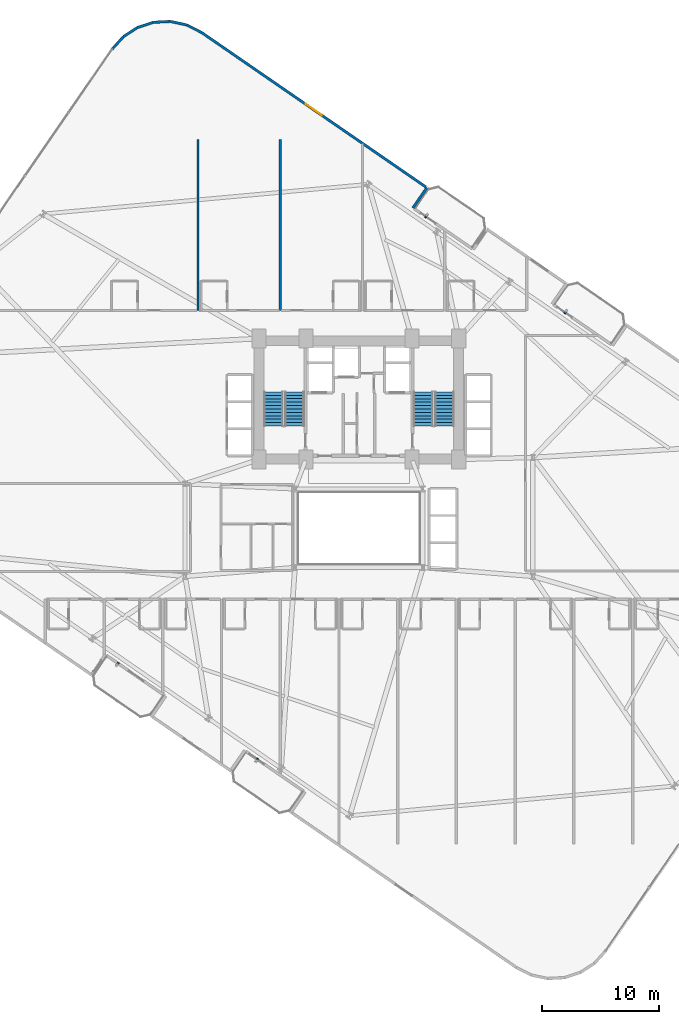
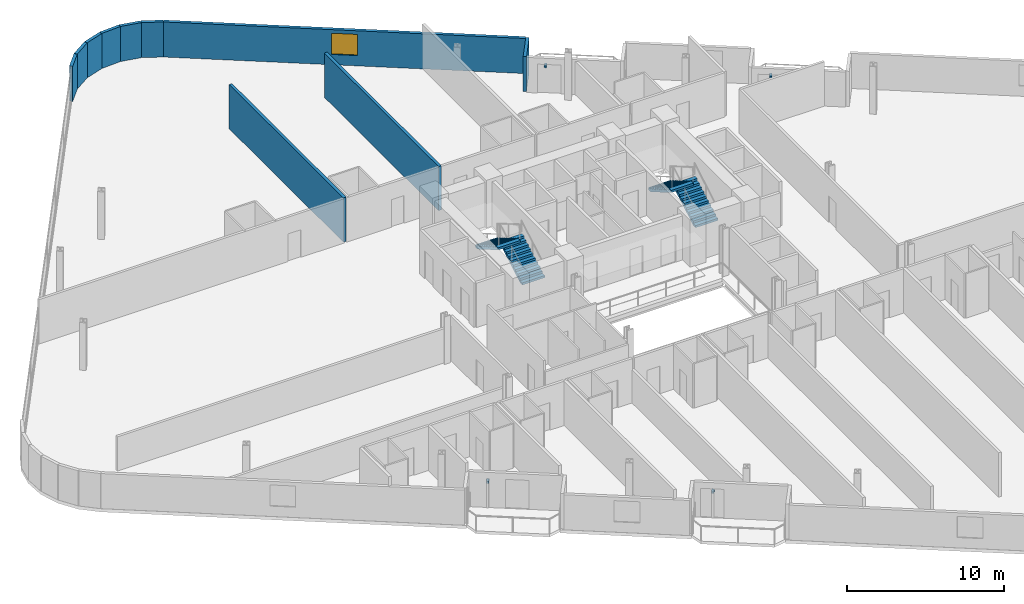
# One storey, part 22 of 25: 10 walls, 4 discrete accessories, 4 stair flights, 1 window, 1 opening, 2 elements without a shape of their own.
"""IFC4 building model written with IfcOpenShell, lengths in metres."""

from ifc_helpers import new_model, si_unit, direction, frame, frame_2d, origin, origin_2d, place, context, subcontext, project, spatial, polyline, rectangle, outline, extrude, source, transform, mapped, material, layer, layer_set, type_object, element, fill, aggregate, save


model = new_model("IFC4")

# Units and contexts
model_context = context("Model", 3, precision=1e-05, world=origin(), true_north=direction((0.0, 1.0)))
body_context = subcontext(model_context, "Body", "Model", "MODEL_VIEW")
ifc_project = project(units=[si_unit("LENGTHUNIT", "METRE"), si_unit("AREAUNIT", "SQUARE_METRE"), si_unit("VOLUMEUNIT", "CUBIC_METRE"), si_unit("PLANEANGLEUNIT", "RADIAN"), si_unit("MASSUNIT", "GRAM", prefix="KILO")], contexts=[model_context])

# Site, building, storey
site_placement = place(None, origin())
site = spatial("IfcSite", under=ifc_project, at=site_placement, CompositionType="ELEMENT")
building_placement = place(site_placement, origin())
building = spatial("IfcBuilding", under=site, at=building_placement, Name="Varnelok Gate Tower", CompositionType="ELEMENT")
storey_placement = place(building_placement, frame((0.0, 0.0, 34.39990234375)))
storey = spatial("IfcBuildingStorey", under=building, at=storey_placement, Name="L07", CompositionType="ELEMENT", Elevation=34.39990234375)

# Wall
ifc_material_1 = material(Name="Concrete C45/55", Category="concrete")
ifc_layer_1 = layer(ifc_material_1, 0.219970703125)
ifc_layer_set_1 = layer_set([ifc_layer_1], Name="Concrete C45/55")
wall_type_1 = type_object("IfcWallType", Name="EW-BALC-220", PredefinedType="SOLIDWALL", material=ifc_layer_set_1)
wall_1_placement = place(storey_placement, frame((43.793701171875, 50.161376953125, 0.0), z_axis=(0.0, 0.0, 1.0), x_axis=(0.567352541689, 0.823475010816, 0.0)))
element("IfcWall", 1, at=wall_1_placement, inside=storey, type_object=wall_type_1, Name="L07 Perimeter Facade Closure Wall 31", PredefinedType="SOLIDWALL", context=body_context, shape_type="SweptSolid", body=[
    extrude(rectangle(XDim=2.099853515625, YDim=0.219970703125, at=frame_2d((1.0498046875, 0.0))), origin(), (0.0, 0.0, 1.0), 2.72998046875),
])

# Wall, opening, window
wall_2_placement = place(storey_placement, frame((44.882080078125, 51.961669921875, 0.0), z_axis=(0.0, 0.0, 1.0), x_axis=(-0.823534427573, 0.567266292497, 0.0)))
wall_2 = element("IfcWall", 2, at=wall_2_placement, inside=storey, type_object=wall_type_1, Name="L07 Perimeter Facade Closure Wall 32", PredefinedType="SOLIDWALL", context=body_context, shape_type="SweptSolid", body=[
    extrude(rectangle(XDim=23.147216796875, YDim=0.219970703125, at=frame_2d((11.57373046875, 0.0))), origin(), (0.0, 0.0, 1.0), 2.72998046875),
])
opening_placement = place(wall_2_placement, frame((10.74853515625, 0.0, 0.800048828125)))
opening = element("IfcOpeningElement", 3, at=opening_placement, cuts=wall_2, Name="Opening WN3", PredefinedType="OPENING", context=body_context, shape_type="SweptSolid", body=[
    extrude(rectangle(XDim=1.64990234375, YDim=1.64990234375, at=frame_2d((0.824951171875, 0.824951171875))), frame((0.0, 0.119873046875, 0.0), z_axis=(0.0, -1.0, 0.0), x_axis=(1.0, 0.0, 0.0)), (0.0, 0.0, 1.0), 0.239990234375),
])
ifc_material_2 = material(Name="Low-E Laminated Double Glazing IGU", Category="glass")
window_type = type_object("IfcWindowType", Name="WN-HTL-1650", PartitioningType="SINGLE_PANEL", PredefinedType="WINDOW", material=ifc_material_2)
window_placement = place(opening_placement, origin())
window = element("IfcWindow", 4, at=window_placement, inside=storey, type_object=window_type, Name="L07 Perimeter Vision Window 32", OverallHeight=1.64990234375, OverallWidth=1.64990234375, PartitioningType="SINGLE_PANEL", PredefinedType="WINDOW", context=body_context, shape_type="SweptSolid", body=[
    extrude(rectangle(XDim=1.64990234375, YDim=1.64990234375, at=frame_2d((0.824951171875, 0.824951171875))), frame((0.0, 0.030029296875, 0.0), z_axis=(0.0, -1.0, 0.0), x_axis=(1.0, 0.0, 0.0)), (0.0, 0.0, 1.0), 0.06005859375),
])
fill(opening, window)

# Walls
wall_3_placement = place(storey_placement, frame((25.79736328125, 65.103759765625, 0.0), z_axis=(0.0, 0.0, 1.0), x_axis=(-0.890559109247, 0.454867533394, 0.0)))
element("IfcWall", 5, at=wall_3_placement, inside=storey, type_object=wall_type_1, Name="L07 Perimeter Facade Closure Wall 33", PredefinedType="SOLIDWALL", context=body_context, shape_type="SweptSolid", body=[
    extrude(rectangle(XDim=1.4130859375, YDim=0.219970703125, at=frame_2d((0.70654296875, 0.0))), origin(), (0.0, 0.0, 1.0), 2.72998046875),
])
for number, where, z_axis, x_axis, name in (
    (6, (24.514404296875, 65.751953125, 0.0), (0.0, 0.0, 1.0), (-0.977952168511, 0.208829011645, 0.0), "L07 Perimeter Facade Closure Wall 34"),
    (7, (23.114990234375, 66.044189453125, 0.0), (0.0, 0.0, 1.0), (-0.998685611917, -0.051254741739, 0.0), "L07 Perimeter Facade Closure Wall 35"),
    (8, (21.68798828125, 65.96435546875, 0.0), (0.0, 0.0, 1.0), (-0.951375653596, -0.308033059501, 0.0), "L07 Perimeter Facade Closure Wall 36"),
    (9, (20.330078125, 65.517822265625, 0.0), (0.0, 0.0, 1.0), (-0.839327688057, -0.543625819899, 0.0), "L07 Perimeter Facade Closure Wall 37"),
    (10, (19.1337890625, 64.735107421875, 0.0), (0.0, 0.0, 1.0), (-0.669952842826, -0.742403655964, 0.0), "L07 Perimeter Facade Closure Wall 38"),
):
    element("IfcWall", number, at=place(storey_placement, frame(where, z_axis=z_axis, x_axis=x_axis)), inside=storey, type_object=wall_type_1, Name=name, PredefinedType="SOLIDWALL", context=body_context, shape_type="SweptSolid", body=[
        extrude(rectangle(XDim=1.4052734375, YDim=0.219970703125, at=frame_2d((0.70263671875, 0.0))), origin(), (0.0, 0.0, 1.0), 2.72998046875),
    ])
ifc_material_3 = material(Name="Gypsum Plasterboard Acoustic Partition", Category="gypsum")
ifc_layer_2 = layer(ifc_material_3, 0.205078125)
ifc_layer_set_2 = layer_set([ifc_layer_2], Name="Gypsum Plasterboard Acoustic Partition")
wall_type_2 = type_object("IfcWallType", Name="PW-PARTY-200", PredefinedType="PARTITIONING", material=ifc_layer_set_2)
for number, where, z_axis, x_axis, name in (
    (11, (25.5, 41.429931640625, 0.0), (0.0, 0.0, 1.0), (0.0, 1.0, 0.0), "L07 North Party Wall 1"),
    (12, (32.5, 41.429931640625, 0.0), (0.0, 0.0, 1.0), (0.0, 1.0, 0.0), "L07 North Party Wall 2"),
):
    element("IfcWall", number, at=place(storey_placement, frame(where, z_axis=z_axis, x_axis=x_axis)), inside=storey, type_object=wall_type_2, Name=name, PredefinedType="PARTITIONING", context=body_context, shape_type="SweptSolid", body=[
        extrude(rectangle(XDim=14.570068359375, YDim=0.205078125, at=frame_2d((7.28515625, 0.0))), origin(), (0.0, 0.0, 1.0), 3.4501953125),
    ])

# Stair, stair flights
ifc_material_4 = material(Name="Concrete C50/60", Category="concrete")
stair_type = type_object("IfcStairType", Name="STR-CORE-1650", PredefinedType="HALF_TURN_STAIR", material=ifc_material_4)
stair_1_placement = place(storey_placement, origin())
stair_1 = element("IfcStair", 13, at=stair_1_placement, inside=storey, type_object=stair_type, Name="L07 Exit Stair ST-1", PredefinedType="HALF_TURN_STAIR")
stair_flight_type = type_object("IfcStairFlightType", Name="SFL-CORE-1650", PredefinedType="STRAIGHT", material=ifc_material_4)
stair_flight_1_placement = place(storey_placement, frame((33.72509765625, 31.60009765625, 0.0), z_axis=(0.0, 0.0, 1.0), x_axis=(0.0, 1.0, 0.0)))
stair_flight_1 = element("IfcStairFlight", 14, at=stair_flight_1_placement, type_object=stair_flight_type, Name="ST-1 flight 1", NumberOfRisers=11, NumberOfTreads=10, PredefinedType="STRAIGHT", RiserHeight=0.168181818, TreadLength=0.29, context=body_context, shape_type="SweptSolid", body=[
    extrude(outline(polyline([(0.0, 0.0), (0.0, 0.168212890625), (0.2900390625, 0.168212890625), (0.2900390625, 0.33642578125), (0.580078125, 0.33642578125), (0.580078125, 0.504638671875), (0.8701171875, 0.504638671875), (0.8701171875, 0.672607421875), (1.159912109375, 0.672607421875), (1.159912109375, 0.8408203125), (1.449951171875, 0.8408203125), (1.449951171875, 1.009033203125), (1.739990234375, 1.009033203125), (1.739990234375, 1.17724609375), (2.030029296875, 1.17724609375), (2.030029296875, 1.345458984375), (2.320068359375, 1.345458984375), (2.320068359375, 1.513671875), (2.610107421875, 1.513671875), (2.610107421875, 1.681884765625), (2.89990234375, 1.681884765625), (2.89990234375, 1.85009765625), (2.89990234375, 1.508544921875), (0.298828125, 0.0), (0.0, 0.0)])), frame((0.0, 0.824951171875, 0.0), z_axis=(0.0, -1.0, 0.0), x_axis=(1.0, 0.0, 0.0)), (0.0, 0.0, 1.0), 1.64990234375),
])
stair_flight_2_placement = place(storey_placement, frame((31.925048828125, 34.5, 1.85009765625), z_axis=(0.0, 0.0, 1.0), x_axis=(0.0, -1.0, 0.0)))
stair_flight_2 = element("IfcStairFlight", 15, at=stair_flight_2_placement, type_object=stair_flight_type, Name="ST-1 flight 2", NumberOfRisers=11, NumberOfTreads=10, PredefinedType="STRAIGHT", RiserHeight=0.168181818, TreadLength=0.29, context=body_context, shape_type="SweptSolid", body=[
    extrude(outline(polyline([(0.0, 0.0), (0.0, 0.168212890625), (0.2900390625, 0.168212890625), (0.2900390625, 0.33642578125), (0.580078125, 0.33642578125), (0.580078125, 0.504638671875), (0.8701171875, 0.504638671875), (0.8701171875, 0.672607421875), (1.159912109375, 0.672607421875), (1.159912109375, 0.8408203125), (1.449951171875, 0.8408203125), (1.449951171875, 1.009033203125), (1.739990234375, 1.009033203125), (1.739990234375, 1.17724609375), (2.030029296875, 1.17724609375), (2.030029296875, 1.345458984375), (2.320068359375, 1.345458984375), (2.320068359375, 1.513671875), (2.610107421875, 1.513671875), (2.610107421875, 1.681884765625), (2.89990234375, 1.681884765625), (2.89990234375, 1.85009765625), (2.89990234375, 1.508544921875), (0.298828125, 0.0), (0.0, 0.0)])), frame((0.0, 0.824951171875, 0.0), z_axis=(0.0, -1.0, 0.0), x_axis=(1.0, 0.0, 0.0)), (0.0, 0.0, 1.0), 1.64990234375),
])
aggregate(stair_1, [stair_flight_1, stair_flight_2])

stair_2_placement = place(storey_placement, origin())
stair_2 = element("IfcStair", 16, at=stair_2_placement, inside=storey, type_object=stair_type, Name="L07 Exit Stair ST-2", PredefinedType="HALF_TURN_STAIR")
stair_flight_3_placement = place(storey_placement, frame((46.47509765625, 31.60009765625, 0.0), z_axis=(0.0, 0.0, 1.0), x_axis=(0.0, 1.0, 0.0)))
stair_flight_3 = element("IfcStairFlight", 17, at=stair_flight_3_placement, type_object=stair_flight_type, Name="ST-2 flight 1", NumberOfRisers=11, NumberOfTreads=10, PredefinedType="STRAIGHT", RiserHeight=0.168181818, TreadLength=0.29, context=body_context, shape_type="SweptSolid", body=[
    extrude(outline(polyline([(0.0, 0.0), (0.0, 0.168212890625), (0.2900390625, 0.168212890625), (0.2900390625, 0.33642578125), (0.580078125, 0.33642578125), (0.580078125, 0.504638671875), (0.8701171875, 0.504638671875), (0.8701171875, 0.672607421875), (1.159912109375, 0.672607421875), (1.159912109375, 0.8408203125), (1.449951171875, 0.8408203125), (1.449951171875, 1.009033203125), (1.739990234375, 1.009033203125), (1.739990234375, 1.17724609375), (2.030029296875, 1.17724609375), (2.030029296875, 1.345458984375), (2.320068359375, 1.345458984375), (2.320068359375, 1.513671875), (2.610107421875, 1.513671875), (2.610107421875, 1.681884765625), (2.89990234375, 1.681884765625), (2.89990234375, 1.85009765625), (2.89990234375, 1.508544921875), (0.298828125, 0.0), (0.0, 0.0)])), frame((0.0, 0.824951171875, 0.0), z_axis=(0.0, -1.0, 0.0), x_axis=(1.0, 0.0, 0.0)), (0.0, 0.0, 1.0), 1.64990234375),
])
stair_flight_4_placement = place(storey_placement, frame((44.675048828125, 34.5, 1.85009765625), z_axis=(0.0, 0.0, 1.0), x_axis=(0.0, -1.0, 0.0)))
stair_flight_4 = element("IfcStairFlight", 18, at=stair_flight_4_placement, type_object=stair_flight_type, Name="ST-2 flight 2", NumberOfRisers=11, NumberOfTreads=10, PredefinedType="STRAIGHT", RiserHeight=0.168181818, TreadLength=0.29, context=body_context, shape_type="SweptSolid", body=[
    extrude(outline(polyline([(0.0, 0.0), (0.0, 0.168212890625), (0.2900390625, 0.168212890625), (0.2900390625, 0.33642578125), (0.580078125, 0.33642578125), (0.580078125, 0.504638671875), (0.8701171875, 0.504638671875), (0.8701171875, 0.672607421875), (1.159912109375, 0.672607421875), (1.159912109375, 0.8408203125), (1.449951171875, 0.8408203125), (1.449951171875, 1.009033203125), (1.739990234375, 1.009033203125), (1.739990234375, 1.17724609375), (2.030029296875, 1.17724609375), (2.030029296875, 1.345458984375), (2.320068359375, 1.345458984375), (2.320068359375, 1.513671875), (2.610107421875, 1.513671875), (2.610107421875, 1.681884765625), (2.89990234375, 1.681884765625), (2.89990234375, 1.85009765625), (2.89990234375, 1.508544921875), (0.298828125, 0.0), (0.0, 0.0)])), frame((0.0, 0.824951171875, 0.0), z_axis=(0.0, -1.0, 0.0), x_axis=(1.0, 0.0, 0.0)), (0.0, 0.0, 1.0), 1.64990234375),
])
aggregate(stair_2, [stair_flight_3, stair_flight_4])

# Discrete accessories
ifc_material_5 = material(Name="Structural Steel ASTM A500 Grade C", Category="steel")
discrete_accessory_type = type_object("IfcDiscreteAccessoryType", Name="ACC-BAGUETTE-BRK", PredefinedType="BRACKET", material=ifc_material_5)
shared_shape = source(origin(), body_context, "Body", "SweptSolid", [
    extrude(rectangle(XDim=0.159912109375, YDim=0.340087890625, at=origin_2d()), origin(), (0.0, 0.0, 1.0), 0.139892578125),
])
for number, where, z_axis, x_axis, name in (
    (19, (18.64453125, 11.32421875, 1.97998046875), (0.0, 0.0, 1.0), (0.823532597628, -0.567268949127, 0.0), "L07 Terracotta Baguette Bracket 1.1"),
    (20, (30.50341796875, 3.155517578125, 1.97998046875), (0.0, 0.0, 1.0), (0.823532597628, -0.567268949127, 0.0), "L07 Terracotta Baguette Bracket 2.1"),
    (21, (44.931884765625, 49.48681640625, 1.97998046875), (0.0, 0.0, 1.0), (0.823532597628, -0.567268949127, 0.0), "L07 Terracotta Baguette Bracket 3.1"),
    (22, (56.790771484375, 41.318115234375, 1.97998046875), (0.0, 0.0, 1.0), (0.823532597628, -0.567268949127, 0.0), "L07 Terracotta Baguette Bracket 4.1"),
):
    element("IfcDiscreteAccessory", number, at=place(storey_placement, frame(where, z_axis=z_axis, x_axis=x_axis)), inside=storey, type_object=discrete_accessory_type, Name=name, PredefinedType="BRACKET", context=body_context, shape_type="MappedRepresentation", body=[
        mapped(shared_shape, transform((0.0, 0.0, 0.0), scale=1.0)),
    ])

save(model, "model.ifc")
